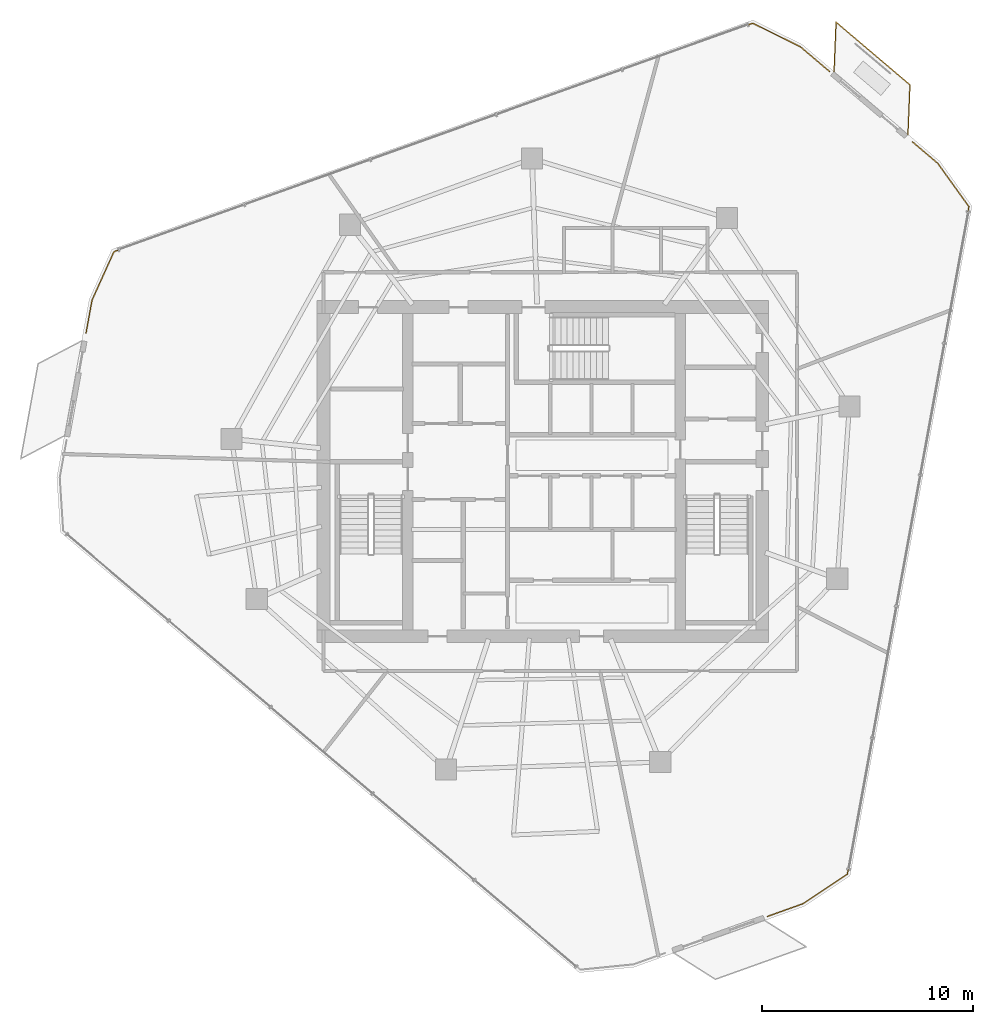
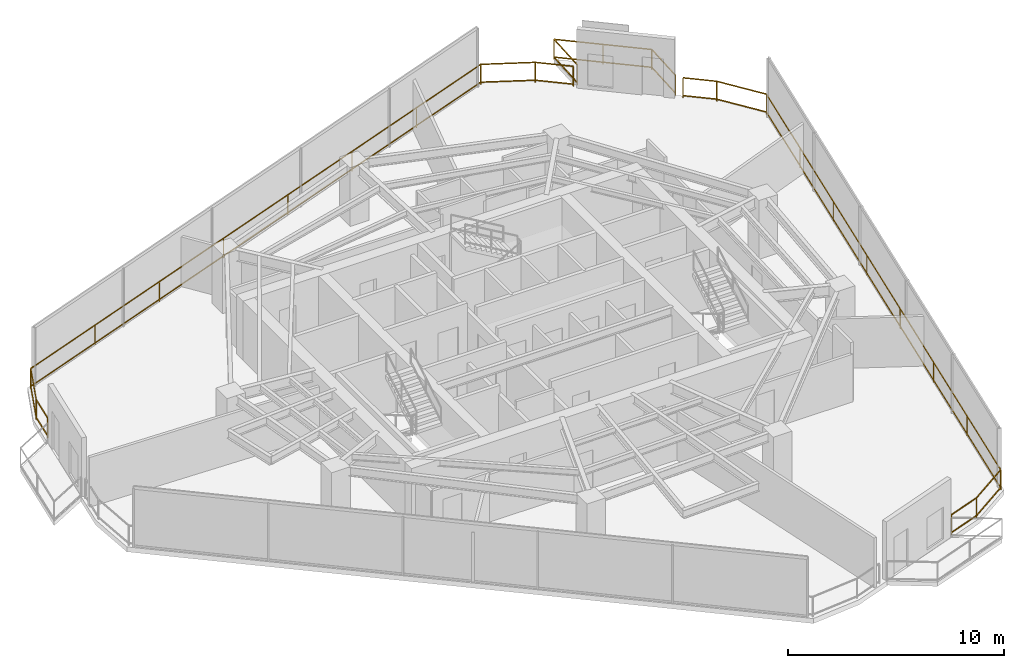
# One storey, part 21 of 21: 4 railings.
"""IFC4 building model written with IfcOpenShell, lengths in metres."""

from ifc_helpers import new_model, si_unit, direction, frame, origin, origin_2d, place, context, subcontext, project, spatial, rectangle, extrude, material, type_object, element, save


model = new_model("IFC4")

# Units and contexts
model_context = context("Model", 3, precision=1e-05, world=origin(), true_north=direction((0.0, 1.0)))
body_context = subcontext(model_context, "Body", "Model", "MODEL_VIEW")
ifc_project = project(units=[si_unit("LENGTHUNIT", "METRE"), si_unit("AREAUNIT", "SQUARE_METRE"), si_unit("VOLUMEUNIT", "CUBIC_METRE"), si_unit("PLANEANGLEUNIT", "RADIAN"), si_unit("MASSUNIT", "GRAM", prefix="KILO")], contexts=[model_context])

# Site, building, storey
site_placement = place(None, origin())
site = spatial("IfcSite", under=ifc_project, at=site_placement, CompositionType="ELEMENT")
building_placement = place(site_placement, origin())
building = spatial("IfcBuilding", under=site, at=building_placement, Name="Qarnah Convention Tower", CompositionType="ELEMENT")
storey_placement = place(building_placement, frame((0.0, 0.0, 140.10009765625)))
storey = spatial("IfcBuildingStorey", under=building, at=storey_placement, Name="L37", CompositionType="ELEMENT", Elevation=140.10009765625)

# Railings
ifc_material = material(Name="Black anodised aluminium", Category="aluminium")
railing_type = type_object("IfcRailingType", Name="RL-EXT-GUARD-1150", PredefinedType="GUARDRAIL", material=ifc_material)
railing_1_placement = place(storey_placement, frame((49.409912109375, 46.535888671875, 0.0)))
element("IfcRailing", 1, at=railing_1_placement, inside=storey, type_object=railing_type, Name="L37 slab-edge perimeter safety guard 01", PredefinedType="GUARDRAIL", context=body_context, shape_type="SweptSolid", body=[
    extrude(rectangle(XDim=0.048095703125, YDim=0.048095703125, at=origin_2d()), frame((0.0, 0.0, 1.1259765625), z_axis=(0.76246238587, -0.647032541789, 0.0), x_axis=(0.647032541789, 0.76246238587, 0.0)), (0.0, 0.0, 1.0), 1.795654296875),
    extrude(rectangle(XDim=0.048095703125, YDim=0.048095703125, at=origin_2d()), frame((0.0, 0.0, 0.1201171875), z_axis=(0.76246238587, -0.647032541789, 0.0), x_axis=(0.647032541789, 0.76246238587, 0.0)), (0.0, 0.0, 1.0), 1.795654296875),
    extrude(rectangle(XDim=0.0419921875, YDim=0.0419921875, at=origin_2d()), origin(), (0.0, 0.0, 1.0), 1.101806640625),
    extrude(rectangle(XDim=0.0419921875, YDim=0.0419921875, at=origin_2d()), frame((1.369140625, -1.161865234375, 0.0)), (0.0, 0.0, 1.0), 1.101806640625),
])
railing_2_placement = place(storey_placement, frame((54.712890625, 42.035888671875, 0.0)))
element("IfcRailing", 2, at=railing_2_placement, inside=storey, type_object=railing_type, Name="L37 slab-edge perimeter safety guard 02", PredefinedType="GUARDRAIL", context=body_context, shape_type="SweptSolid", body=[
    extrude(rectangle(XDim=0.048095703125, YDim=0.048095703125, at=origin_2d()), frame((0.0, 0.0, 1.1259765625), z_axis=(0.762228109389, -0.647308511652, 0.0), x_axis=(0.647308511652, 0.762228109389, 0.0)), (0.0, 0.0, 1.0), 1.584716796875),
    extrude(rectangle(XDim=0.048095703125, YDim=0.048095703125, at=origin_2d()), frame((0.0, 0.0, 0.1201171875), z_axis=(0.762228109389, -0.647308511652, 0.0), x_axis=(0.647308511652, 0.762228109389, 0.0)), (0.0, 0.0, 1.0), 1.584716796875),
    extrude(rectangle(XDim=0.048095703125, YDim=0.048095703125, at=origin_2d()), frame((1.2080078125, -1.02587890625, 1.1259765625), z_axis=(0.583622106384, -0.812025391807, 0.0), x_axis=(0.812025391807, 0.583622106384, 0.0)), (0.0, 0.0, 1.0), 2.52587890625),
    extrude(rectangle(XDim=0.048095703125, YDim=0.048095703125, at=origin_2d()), frame((1.2080078125, -1.02587890625, 0.1201171875), z_axis=(0.583622106384, -0.812025391807, 0.0), x_axis=(0.812025391807, 0.583622106384, 0.0)), (0.0, 0.0, 1.0), 2.52587890625),
    extrude(rectangle(XDim=0.048095703125, YDim=0.048095703125, at=origin_2d()), frame((2.68212890625, -3.076904296875, 1.1259765625), z_axis=(-0.179151962024, -0.983821413928, 0.0), x_axis=(0.983821413928, -0.179151962024, 0.0)), (0.0, 0.0, 1.0), 32.162353515625),
    extrude(rectangle(XDim=0.048095703125, YDim=0.048095703125, at=origin_2d()), frame((2.68212890625, -3.076904296875, 0.1201171875), z_axis=(-0.179151962024, -0.983821413928, 0.0), x_axis=(0.983821413928, -0.179151962024, 0.0)), (0.0, 0.0, 1.0), 32.162353515625),
    extrude(rectangle(XDim=0.048095703125, YDim=0.048095703125, at=origin_2d()), frame((-3.079833984375, -34.718994140625, 1.1259765625), z_axis=(-0.831961089147, -0.554833980706, 0.0), x_axis=(0.554833980706, -0.831961089147, 0.0)), (0.0, 0.0, 1.0), 2.526611328125),
    extrude(rectangle(XDim=0.048095703125, YDim=0.048095703125, at=origin_2d()), frame((-3.079833984375, -34.718994140625, 0.1201171875), z_axis=(-0.831961089147, -0.554833980706, 0.0), x_axis=(0.554833980706, -0.831961089147, 0.0)), (0.0, 0.0, 1.0), 2.526611328125),
    extrude(rectangle(XDim=0.048095703125, YDim=0.048095703125, at=origin_2d()), frame((-5.181884765625, -36.120849609375, 1.1259765625), z_axis=(-0.941551068962, -0.3368702785, 0.0), x_axis=(0.3368702785, -0.941551068962, 0.0)), (0.0, 0.0, 1.0), 1.7958984375),
    extrude(rectangle(XDim=0.048095703125, YDim=0.048095703125, at=origin_2d()), frame((-5.181884765625, -36.120849609375, 0.1201171875), z_axis=(-0.941551068962, -0.3368702785, 0.0), x_axis=(0.3368702785, -0.941551068962, 0.0)), (0.0, 0.0, 1.0), 1.7958984375),
    extrude(rectangle(XDim=0.0419921875, YDim=0.0419921875, at=origin_2d()), origin(), (0.0, 0.0, 1.0), 1.101806640625),
    extrude(rectangle(XDim=0.0419921875, YDim=0.0419921875, at=origin_2d()), frame((1.2080078125, -1.02587890625, 0.0)), (0.0, 0.0, 1.0), 1.101806640625),
    extrude(rectangle(XDim=0.0419921875, YDim=0.0419921875, at=origin_2d()), frame((2.68212890625, -3.076904296875, 0.0)), (0.0, 0.0, 1.0), 1.101806640625),
    extrude(rectangle(XDim=0.0419921875, YDim=0.0419921875, at=origin_2d()), frame((1.85888671875, -7.59716796875, 0.0)), (0.0, 0.0, 1.0), 1.101806640625),
    extrude(rectangle(XDim=0.0419921875, YDim=0.0419921875, at=origin_2d()), frame((1.035888671875, -12.117431640625, 0.0)), (0.0, 0.0, 1.0), 1.101806640625),
    extrude(rectangle(XDim=0.0419921875, YDim=0.0419921875, at=origin_2d()), frame((0.212646484375, -16.6376953125, 0.0)), (0.0, 0.0, 1.0), 1.101806640625),
    extrude(rectangle(XDim=0.0419921875, YDim=0.0419921875, at=origin_2d()), frame((-0.6103515625, -21.158203125, 0.0)), (0.0, 0.0, 1.0), 1.101806640625),
    extrude(rectangle(XDim=0.0419921875, YDim=0.0419921875, at=origin_2d()), frame((-1.43359375, -25.678466796875, 0.0)), (0.0, 0.0, 1.0), 1.101806640625),
    extrude(rectangle(XDim=0.0419921875, YDim=0.0419921875, at=origin_2d()), frame((-2.256591796875, -30.19873046875, 0.0)), (0.0, 0.0, 1.0), 1.101806640625),
    extrude(rectangle(XDim=0.0419921875, YDim=0.0419921875, at=origin_2d()), frame((-3.079833984375, -34.718994140625, 0.0)), (0.0, 0.0, 1.0), 1.101806640625),
    extrude(rectangle(XDim=0.0419921875, YDim=0.0419921875, at=origin_2d()), frame((-5.181884765625, -36.120849609375, 0.0)), (0.0, 0.0, 1.0), 1.101806640625),
    extrude(rectangle(XDim=0.0419921875, YDim=0.0419921875, at=origin_2d()), frame((-6.872802734375, -36.725830078125, 0.0)), (0.0, 0.0, 1.0), 1.101806640625),
])
railing_3_placement = place(storey_placement, frame((15.5380859375, 32.964111328125, 0.0)))
element("IfcRailing", 3, at=railing_3_placement, inside=storey, type_object=railing_type, Name="L37 slab-edge perimeter safety guard 04", PredefinedType="GUARDRAIL", context=body_context, shape_type="SweptSolid", body=[
    extrude(rectangle(XDim=0.048095703125, YDim=0.048095703125, at=origin_2d()), frame((0.0, 0.0, 1.1259765625), z_axis=(0.179197291051, 0.983813158521, 0.0), x_axis=(-0.983813158521, 0.179197291051, 0.0)), (0.0, 0.0, 1.0), 1.58447265625),
    extrude(rectangle(XDim=0.048095703125, YDim=0.048095703125, at=origin_2d()), frame((0.0, 0.0, 0.1201171875), z_axis=(0.179197291051, 0.983813158521, 0.0), x_axis=(-0.983813158521, 0.179197291051, 0.0)), (0.0, 0.0, 1.0), 1.58447265625),
    extrude(rectangle(XDim=0.048095703125, YDim=0.048095703125, at=origin_2d()), frame((0.283935546875, 1.558837890625, 1.1259765625), z_axis=(0.411726554348, 0.911307436843, 0.0), x_axis=(-0.911307436843, 0.411726554348, 0.0)), (0.0, 0.0, 1.0), 2.526123046875),
    extrude(rectangle(XDim=0.048095703125, YDim=0.048095703125, at=origin_2d()), frame((0.283935546875, 1.558837890625, 0.1201171875), z_axis=(0.411726554348, 0.911307436843, 0.0), x_axis=(-0.911307436843, 0.411726554348, 0.0)), (0.0, 0.0, 1.0), 2.526123046875),
    extrude(rectangle(XDim=0.048095703125, YDim=0.048095703125, at=origin_2d()), frame((1.323974609375, 3.86083984375, 1.1259765625), z_axis=(0.941577442436, 0.336796555648, 0.0), x_axis=(-0.336796555648, 0.941577442436, 0.0)), (0.0, 0.0, 1.0), 32.161865234375),
    extrude(rectangle(XDim=0.048095703125, YDim=0.048095703125, at=origin_2d()), frame((1.323974609375, 3.86083984375, 0.1201171875), z_axis=(0.941577442436, 0.336796555648, 0.0), x_axis=(-0.336796555648, 0.941577442436, 0.0)), (0.0, 0.0, 1.0), 32.161865234375),
    extrude(rectangle(XDim=0.048095703125, YDim=0.048095703125, at=origin_2d()), frame((31.60693359375, 14.69287109375, 1.1259765625), z_axis=(0.896216848812, -0.443616230435, 0.0), x_axis=(0.443616230435, 0.896216848812, 0.0)), (0.0, 0.0, 1.0), 2.527099609375),
    extrude(rectangle(XDim=0.048095703125, YDim=0.048095703125, at=origin_2d()), frame((31.60693359375, 14.69287109375, 0.1201171875), z_axis=(0.896216848812, -0.443616230435, 0.0), x_axis=(0.443616230435, 0.896216848812, 0.0)), (0.0, 0.0, 1.0), 2.527099609375),
    extrude(rectangle(XDim=0.0419921875, YDim=0.0419921875, at=origin_2d()), origin(), (0.0, 0.0, 1.0), 1.101806640625),
    extrude(rectangle(XDim=0.0419921875, YDim=0.0419921875, at=origin_2d()), frame((0.283935546875, 1.558837890625, 0.0)), (0.0, 0.0, 1.0), 1.101806640625),
    extrude(rectangle(XDim=0.0419921875, YDim=0.0419921875, at=origin_2d()), frame((1.323974609375, 3.86083984375, 0.0)), (0.0, 0.0, 1.0), 1.101806640625),
    extrude(rectangle(XDim=0.0419921875, YDim=0.0419921875, at=origin_2d()), frame((5.650146484375, 5.408203125, 0.0)), (0.0, 0.0, 1.0), 1.101806640625),
    extrude(rectangle(XDim=0.0419921875, YDim=0.0419921875, at=origin_2d()), frame((9.976318359375, 6.955810546875, 0.0)), (0.0, 0.0, 1.0), 1.101806640625),
    extrude(rectangle(XDim=0.0419921875, YDim=0.0419921875, at=origin_2d()), frame((14.302490234375, 8.503173828125, 0.0)), (0.0, 0.0, 1.0), 1.101806640625),
    extrude(rectangle(XDim=0.0419921875, YDim=0.0419921875, at=origin_2d()), frame((18.62841796875, 10.050537109375, 0.0)), (0.0, 0.0, 1.0), 1.101806640625),
    extrude(rectangle(XDim=0.0419921875, YDim=0.0419921875, at=origin_2d()), frame((22.95458984375, 11.597900390625, 0.0)), (0.0, 0.0, 1.0), 1.101806640625),
    extrude(rectangle(XDim=0.0419921875, YDim=0.0419921875, at=origin_2d()), frame((27.28076171875, 13.1455078125, 0.0)), (0.0, 0.0, 1.0), 1.101806640625),
    extrude(rectangle(XDim=0.0419921875, YDim=0.0419921875, at=origin_2d()), frame((31.60693359375, 14.69287109375, 0.0)), (0.0, 0.0, 1.0), 1.101806640625),
    extrude(rectangle(XDim=0.0419921875, YDim=0.0419921875, at=origin_2d()), frame((33.871826171875, 13.57177734375, 0.0)), (0.0, 0.0, 1.0), 1.101806640625),
])
railing_4_placement = place(storey_placement, frame((50.9990234375, 45.364990234375, 0.0)))
element("IfcRailing", 4, at=railing_4_placement, inside=storey, type_object=railing_type, Name="L37 balcony safety guard BAL-L37-C1", PredefinedType="GUARDRAIL", context=body_context, shape_type="SweptSolid", body=[
    extrude(rectangle(XDim=0.048095703125, YDim=0.048095703125, at=origin_2d()), frame((0.0, 0.0, 1.1259765625), z_axis=(0.0404665661, 0.999180893046, 0.0), x_axis=(-0.999180893046, 0.0404665661, 0.0)), (0.0, 0.0, 1.0), 2.346923828125),
    extrude(rectangle(XDim=0.048095703125, YDim=0.048095703125, at=origin_2d()), frame((0.0, 0.0, 0.1201171875), z_axis=(0.0404665661, 0.999180893046, 0.0), x_axis=(-0.999180893046, 0.0404665661, 0.0)), (0.0, 0.0, 1.0), 2.346923828125),
    extrude(rectangle(XDim=0.048095703125, YDim=0.048095703125, at=origin_2d()), frame((0.094970703125, 2.344970703125, 1.1259765625), z_axis=(0.76255832109, -0.646919474847, 0.0), x_axis=(0.646919474847, 0.76255832109, 0.0)), (0.0, 0.0, 1.0), 4.600341796875),
    extrude(rectangle(XDim=0.048095703125, YDim=0.048095703125, at=origin_2d()), frame((0.094970703125, 2.344970703125, 0.1201171875), z_axis=(0.76255832109, -0.646919474847, 0.0), x_axis=(0.646919474847, 0.76255832109, 0.0)), (0.0, 0.0, 1.0), 4.600341796875),
    extrude(rectangle(XDim=0.048095703125, YDim=0.048095703125, at=origin_2d()), frame((3.60302734375, -0.631103515625, 1.1259765625), z_axis=(-0.040449748391, -0.999181574017, 0.0), x_axis=(0.999181574017, -0.040449748391, 0.0)), (0.0, 0.0, 1.0), 2.347900390625),
    extrude(rectangle(XDim=0.048095703125, YDim=0.048095703125, at=origin_2d()), frame((3.60302734375, -0.631103515625, 0.1201171875), z_axis=(-0.040449748391, -0.999181574017, 0.0), x_axis=(0.999181574017, -0.040449748391, 0.0)), (0.0, 0.0, 1.0), 2.347900390625),
    extrude(rectangle(XDim=0.0419921875, YDim=0.0419921875, at=origin_2d()), origin(), (0.0, 0.0, 1.0), 1.101806640625),
    extrude(rectangle(XDim=0.0419921875, YDim=0.0419921875, at=origin_2d()), frame((0.094970703125, 2.344970703125, 0.0)), (0.0, 0.0, 1.0), 1.101806640625),
    extrude(rectangle(XDim=0.0419921875, YDim=0.0419921875, at=origin_2d()), frame((1.84912109375, 0.85693359375, 0.0)), (0.0, 0.0, 1.0), 1.101806640625),
    extrude(rectangle(XDim=0.0419921875, YDim=0.0419921875, at=origin_2d()), frame((3.60302734375, -0.631103515625, 0.0)), (0.0, 0.0, 1.0), 1.101806640625),
    extrude(rectangle(XDim=0.0419921875, YDim=0.0419921875, at=origin_2d()), frame((3.508056640625, -2.97705078125, 0.0)), (0.0, 0.0, 1.0), 1.101806640625),
])

save(model, "model.ifc")
